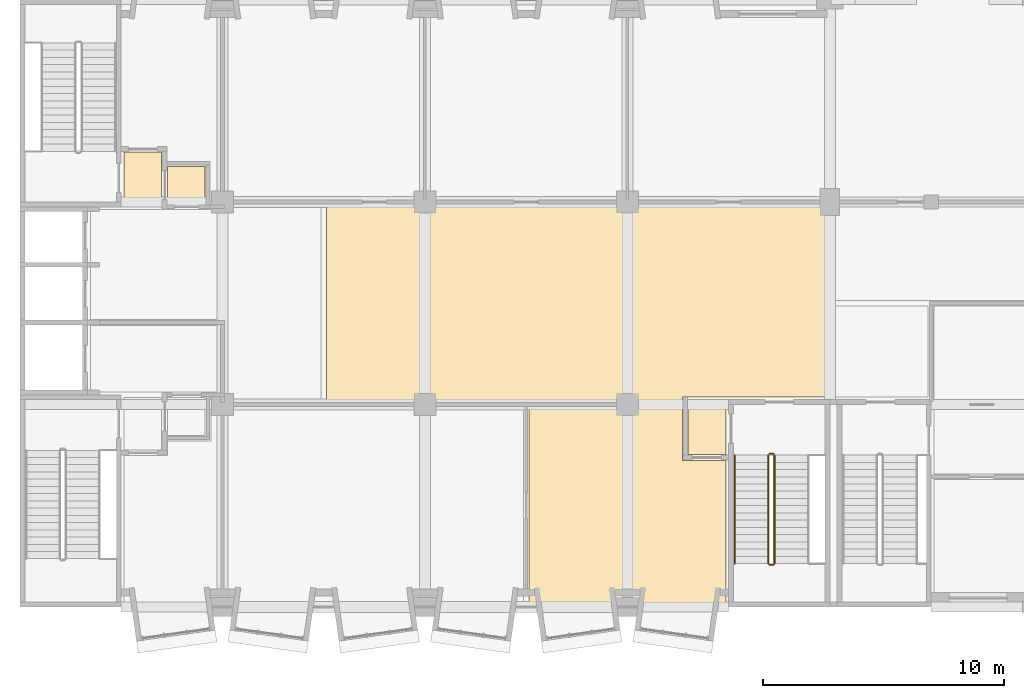
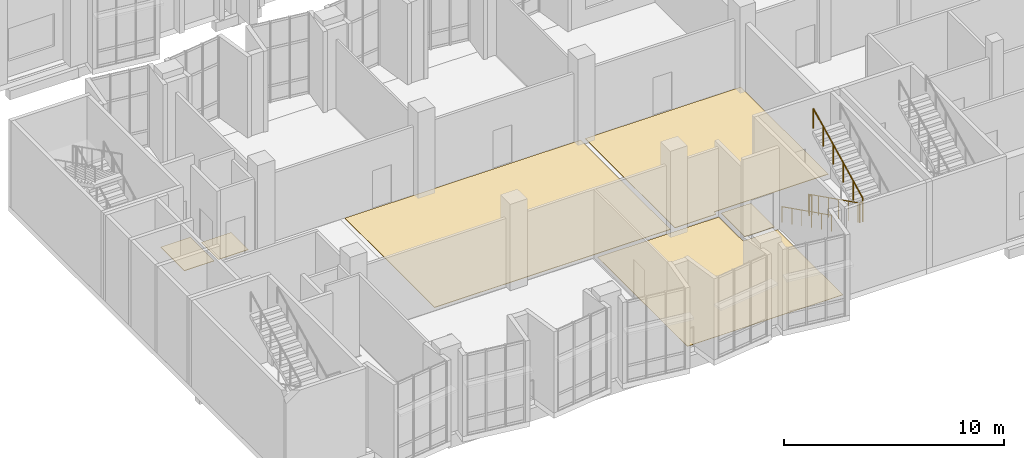
# One storey, part 67 of 91: 6 coverings, 5 railings.
"""IFC4 building model written with IfcOpenShell, lengths in metres."""

from ifc_helpers import new_model, si_unit, direction, frame, origin, origin_2d, place, context, subcontext, project, spatial, polyline, circle, outline, extrude, material, layer, layer_set, type_object, element, save


model = new_model("IFC4")

# Units and contexts
model_context = context("Model", 3, precision=1e-05, world=origin(), true_north=direction((0.0, 1.0)))
body_context = subcontext(model_context, "Body", "Model", "MODEL_VIEW")
ifc_project = project(units=[si_unit("LENGTHUNIT", "METRE"), si_unit("AREAUNIT", "SQUARE_METRE"), si_unit("VOLUMEUNIT", "CUBIC_METRE"), si_unit("PLANEANGLEUNIT", "RADIAN"), si_unit("MASSUNIT", "GRAM", prefix="KILO")], contexts=[model_context])

# Site, building, storey
site_placement = place(None, origin())
site = spatial("IfcSite", under=ifc_project, at=site_placement, CompositionType="ELEMENT")
building_placement = place(site_placement, origin())
building = spatial("IfcBuilding", under=site, at=building_placement, Name="Kiln Court Media Centre", CompositionType="ELEMENT")
storey_placement = place(building_placement, frame((0.0, 0.0, 5.39990234375)))
storey = spatial("IfcBuildingStorey", under=building, at=storey_placement, Name="L01", CompositionType="ELEMENT", Elevation=5.39990234375)

# Coverings
ifc_material_1 = material(Name="Carpet tile")
ifc_layer_1 = layer(ifc_material_1, 0.014892578125)
ifc_layer_set_1 = layer_set([ifc_layer_1], Name="Carpet tile floor finish 15")
covering_type_1 = type_object("IfcCoveringType", Name="Carpet tile floor finish 15", PredefinedType="FLOORING", material=ifc_layer_set_1)
covering_1_placement = place(storey_placement, origin())
element("IfcCovering", 1, at=covering_1_placement, inside=storey, type_object=covering_type_1, Name="Periodicals Room floor finish", PredefinedType="FLOORING", context=body_context, shape_type="SweptSolid", body=[
    extrude(outline(polyline([(29.280029296875, 0.1201171875), (29.280029296875, 6.080078125), (27.47998046875, 6.080078125), (27.47998046875, 8.280029296875), (21.1201171875, 8.280029296875), (21.1201171875, 0.1201171875), (29.280029296875, 0.1201171875)])), origin(), (0.0, 0.0, 1.0), 0.01513671875),
])
ifc_material_2 = material(Name="Terrazzo")
ifc_layer_2 = layer(ifc_material_2, 0.02490234375)
ifc_layer_set_2 = layer_set([ifc_layer_2], Name="Polished terrazzo floor finish 25")
covering_type_2 = type_object("IfcCoveringType", Name="Polished terrazzo floor finish 25", PredefinedType="FLOORING", material=ifc_layer_set_2)
covering_2_placement = place(storey_placement, origin())
element("IfcCovering", 2, at=covering_2_placement, inside=storey, type_object=covering_type_2, Name="Stair 3 Vestibule floor finish", PredefinedType="FLOORING", context=body_context, shape_type="SweptSolid", body=[
    extrude(outline(polyline([(27.719970703125, 6.320068359375), (29.280029296875, 6.320068359375), (29.280029296875, 8.47998046875), (27.719970703125, 8.47998046875), (27.719970703125, 6.320068359375)])), origin(), (0.0, 0.0, 1.0), 0.025146484375),
])
covering_3_placement = place(storey_placement, origin())
element("IfcCovering", 3, at=covering_3_placement, inside=storey, type_object=covering_type_2, Name="Library Atrium floor finish", PredefinedType="FLOORING", context=body_context, shape_type="SweptSolid", body=[
    extrude(outline(polyline([(12.719970703125, 8.52001953125), (25.080078125, 8.52001953125), (25.080078125, 16.679931640625), (12.719970703125, 16.679931640625), (12.719970703125, 8.52001953125)])), origin(), (0.0, 0.0, 1.0), 0.025146484375),
])
covering_4_placement = place(storey_placement, origin())
element("IfcCovering", 4, at=covering_4_placement, inside=storey, type_object=covering_type_2, Name="East Lobby floor finish", PredefinedType="FLOORING", context=body_context, shape_type="SweptSolid", body=[
    extrude(outline(polyline([(25.320068359375, 8.52001953125), (27.47998046875, 8.52001953125), (27.47998046875, 8.719970703125), (33.47998046875, 8.719970703125), (33.47998046875, 16.679931640625), (25.320068359375, 16.679931640625), (25.320068359375, 8.52001953125)])), origin(), (0.0, 0.0, 1.0), 0.025146484375),
])
covering_5_placement = place(storey_placement, origin())
element("IfcCovering", 5, at=covering_5_placement, inside=storey, type_object=covering_type_2, Name="Stair 2 Vestibule floor finish", PredefinedType="FLOORING", context=body_context, shape_type="SweptSolid", body=[
    extrude(outline(polyline([(4.320068359375, 16.719970703125), (5.8798828125, 16.719970703125), (5.8798828125, 18.8798828125), (4.320068359375, 18.8798828125), (4.320068359375, 16.719970703125)])), origin(), (0.0, 0.0, 1.0), 0.025146484375),
])
covering_6_placement = place(storey_placement, origin())
element("IfcCovering", 6, at=covering_6_placement, inside=storey, type_object=covering_type_2, Name="Wheelchair Refuge floor finish", PredefinedType="FLOORING", context=body_context, shape_type="SweptSolid", body=[
    extrude(outline(polyline([(6.1201171875, 16.719970703125), (7.679931640625, 16.719970703125), (7.679931640625, 18.280029296875), (6.1201171875, 18.280029296875), (6.1201171875, 16.719970703125)])), origin(), (0.0, 0.0, 1.0), 0.025146484375),
])

# Railings
ifc_material_3 = material(Name="Steel S275", Category="steel")
railing_type_1 = type_object("IfcRailingType", Name="Steel S275 stair guard 1100", PredefinedType="GUARDRAIL", material=ifc_material_3)
railing_1_placement = place(storey_placement, frame((31.050048828125, 6.300048828125, 0.150146484375)))
element("IfcRailing", 7, at=railing_1_placement, inside=storey, type_object=railing_type_1, Name="ST-03 stair guard", PredefinedType="GUARDRAIL", context=body_context, shape_type="SweptSolid", body=[
    extrude(circle(Radius=0.02392578125, at=origin_2d()), frame((0.0, 0.0, 1.076171875), z_axis=(0.0, -0.894427191, 0.4472135955), x_axis=(1.0, 0.0, 0.0)), (0.0, 0.0, 1.0), 5.03125),
    extrude(circle(Radius=0.02099609375, at=origin_2d()), origin(), (0.0, 0.0, 1.0), 1.052001953125),
    extrude(circle(Radius=0.02099609375, at=origin_2d()), frame((0.0, -0.89990234375, 0.449951171875)), (0.0, 0.0, 1.0), 1.052001953125),
    extrude(circle(Radius=0.02099609375, at=origin_2d()), frame((0.0, -1.800048828125, 0.89990234375)), (0.0, 0.0, 1.0), 1.052001953125),
    extrude(circle(Radius=0.02099609375, at=origin_2d()), frame((0.0, -2.699951171875, 1.35009765625)), (0.0, 0.0, 1.0), 1.052001953125),
    extrude(circle(Radius=0.02099609375, at=origin_2d()), frame((0.0, -3.60009765625, 1.800048828125)), (0.0, 0.0, 1.0), 1.052001953125),
    extrude(circle(Radius=0.02099609375, at=origin_2d()), frame((0.0, -4.5, 2.25)), (0.0, 0.0, 1.0), 1.052001953125),
])
railing_2_placement = place(storey_placement, frame((31.10009765625, 1.75, 2.400146484375)))
element("IfcRailing", 8, at=railing_2_placement, inside=storey, type_object=railing_type_1, Name="ST-03 stair guard", PredefinedType="GUARDRAIL", context=body_context, shape_type="SweptSolid", body=[
    extrude(circle(Radius=0.02392578125, at=origin_2d()), frame((0.0, 0.0, 1.076171875), z_axis=(1.0, 0.0, 0.0), x_axis=(0.0, 1.0, 0.0)), (0.0, 0.0, 1.0), 0.14990234375),
    extrude(circle(Radius=0.02099609375, at=origin_2d()), origin(), (0.0, 0.0, 1.0), 1.052001953125),
    extrude(circle(Radius=0.02099609375, at=origin_2d()), frame((0.14990234375, 0.0, 0.0)), (0.0, 0.0, 1.0), 1.052001953125),
])
railing_3_placement = place(storey_placement, frame((31.300048828125, 1.800048828125, 2.550048828125)))
element("IfcRailing", 9, at=railing_3_placement, inside=storey, type_object=railing_type_1, Name="ST-03 stair guard", PredefinedType="GUARDRAIL", context=body_context, shape_type="SweptSolid", body=[
    extrude(circle(Radius=0.02392578125, at=origin_2d()), frame((0.0, 0.0, 1.076171875), z_axis=(0.0, 0.894427191, 0.4472135955), x_axis=(-1.0, 0.0, 0.0)), (0.0, 0.0, 1.0), 5.03125),
    extrude(circle(Radius=0.02099609375, at=origin_2d()), origin(), (0.0, 0.0, 1.0), 1.052001953125),
    extrude(circle(Radius=0.02099609375, at=origin_2d()), frame((0.0, 0.89990234375, 0.449951171875)), (0.0, 0.0, 1.0), 1.052001953125),
    extrude(circle(Radius=0.02099609375, at=origin_2d()), frame((0.0, 1.800048828125, 0.89990234375)), (0.0, 0.0, 1.0), 1.052001953125),
    extrude(circle(Radius=0.02099609375, at=origin_2d()), frame((0.0, 2.699951171875, 1.35009765625)), (0.0, 0.0, 1.0), 1.052001953125),
    extrude(circle(Radius=0.02099609375, at=origin_2d()), frame((0.0, 3.60009765625, 1.800048828125)), (0.0, 0.0, 1.0), 1.052001953125),
    extrude(circle(Radius=0.02099609375, at=origin_2d()), frame((0.0, 4.5, 2.25)), (0.0, 0.0, 1.0), 1.052001953125),
])
railing_4_placement = place(storey_placement, frame((31.10009765625, 6.35009765625, 0.0)))
element("IfcRailing", 10, at=railing_4_placement, inside=storey, type_object=railing_type_1, Name="ST-03 stair guard", PredefinedType="GUARDRAIL", context=body_context, shape_type="SweptSolid", body=[
    extrude(circle(Radius=0.02392578125, at=origin_2d()), frame((0.0, 0.0, 1.076171875), z_axis=(1.0, 0.0, 0.0), x_axis=(0.0, 1.0, 0.0)), (0.0, 0.0, 1.0), 0.14990234375),
    extrude(circle(Radius=0.02099609375, at=origin_2d()), origin(), (0.0, 0.0, 1.0), 1.052001953125),
    extrude(circle(Radius=0.02099609375, at=origin_2d()), frame((0.14990234375, 0.0, 0.0)), (0.0, 0.0, 1.0), 1.052001953125),
])
ifc_material_4 = material(Name="Steel S275", Category="steel")
railing_type_2 = type_object("IfcRailingType", Name="Steel S275 stair handrail 900", PredefinedType="HANDRAIL", material=ifc_material_4)
railing_5_placement = place(storey_placement, frame((29.64990234375, 6.300048828125, 0.150146484375)))
element("IfcRailing", 11, at=railing_5_placement, inside=storey, type_object=railing_type_2, Name="ST-03 stair handrail", PredefinedType="HANDRAIL", context=body_context, shape_type="SweptSolid", body=[
    extrude(circle(Radius=0.02392578125, at=origin_2d()), frame((0.0, 0.0, 0.8759765625), z_axis=(0.0, -0.894427191, 0.4472135955), x_axis=(1.0, 0.0, 0.0)), (0.0, 0.0, 1.0), 5.03125),
    extrude(circle(Radius=0.02099609375, at=origin_2d()), origin(), (0.0, 0.0, 1.0), 0.851806640625),
    extrude(circle(Radius=0.02099609375, at=origin_2d()), frame((0.0, -0.89990234375, 0.449951171875)), (0.0, 0.0, 1.0), 0.851806640625),
    extrude(circle(Radius=0.02099609375, at=origin_2d()), frame((0.0, -1.800048828125, 0.89990234375)), (0.0, 0.0, 1.0), 0.851806640625),
    extrude(circle(Radius=0.02099609375, at=origin_2d()), frame((0.0, -2.699951171875, 1.35009765625)), (0.0, 0.0, 1.0), 0.851806640625),
    extrude(circle(Radius=0.02099609375, at=origin_2d()), frame((0.0, -3.60009765625, 1.800048828125)), (0.0, 0.0, 1.0), 0.851806640625),
    extrude(circle(Radius=0.02099609375, at=origin_2d()), frame((0.0, -4.5, 2.25)), (0.0, 0.0, 1.0), 0.851806640625),
])

save(model, "model.ifc")
